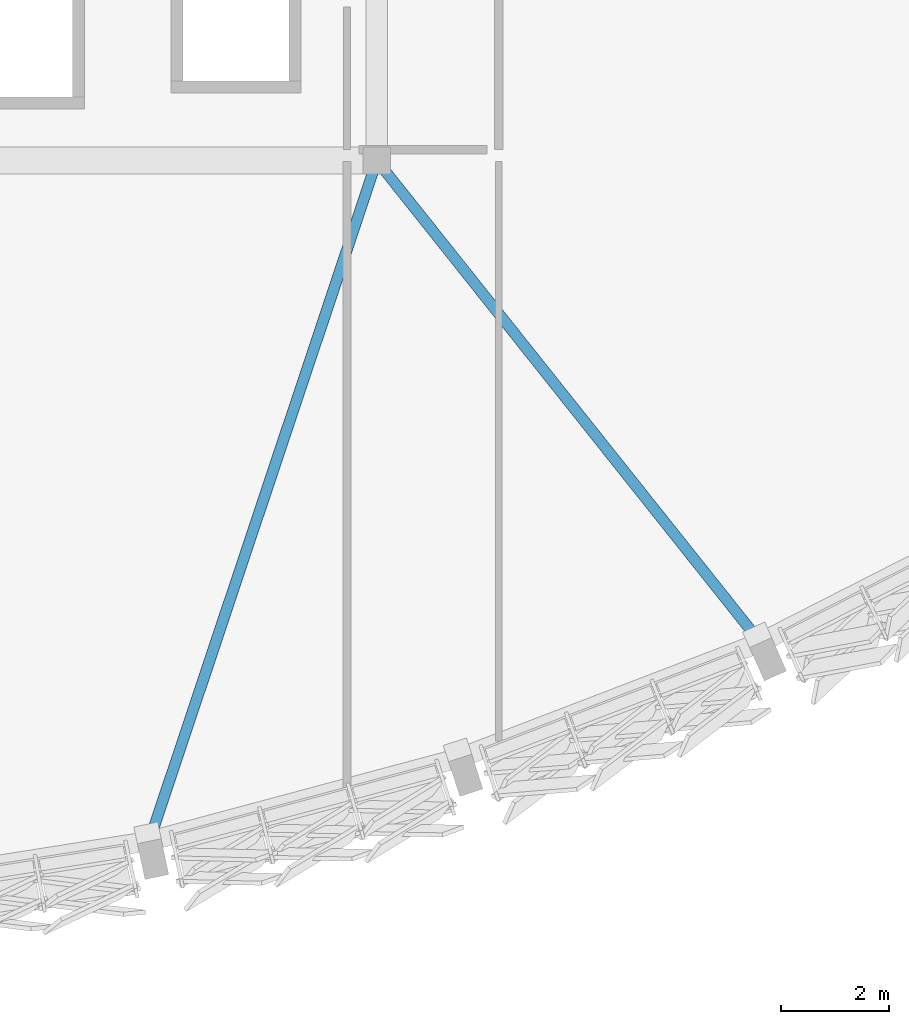
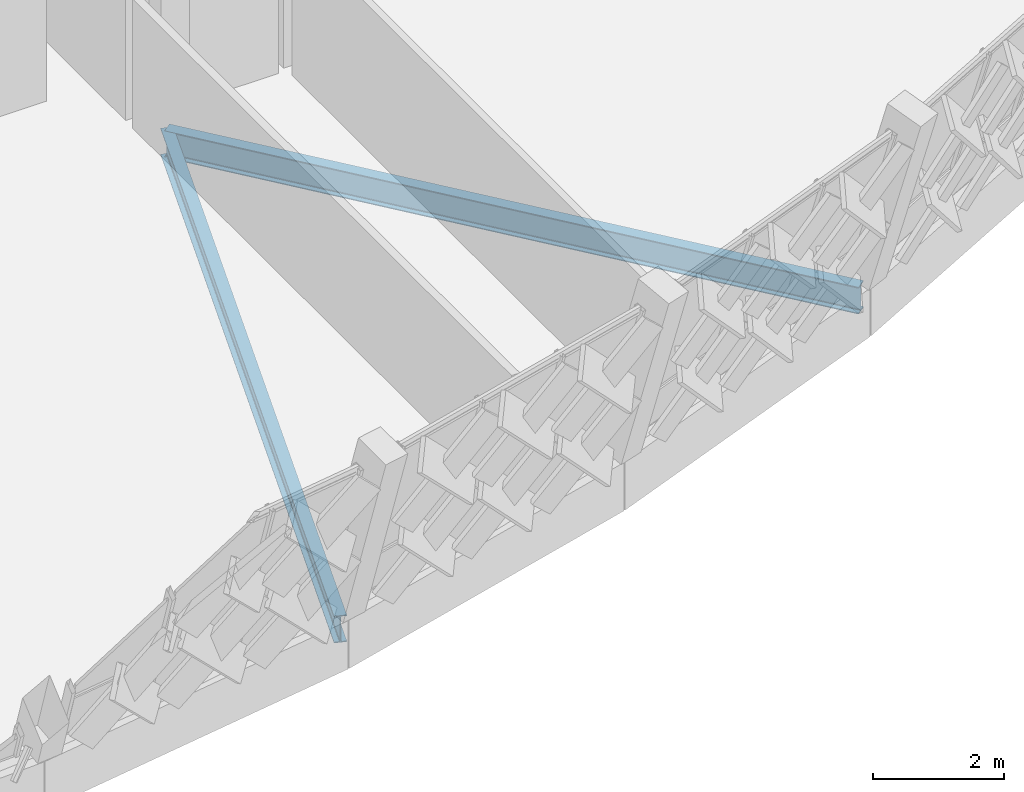
# One storey, part 6 of 24: 2 beams.
"""IFC4 building model written with IfcOpenShell, lengths in metres."""

from ifc_helpers import new_model, si_unit, direction, frame, origin, origin_2d, place, context, subcontext, project, spatial, i_section, extrude, material, material_profile, profile_set, type_object, element, save


model = new_model("IFC4")

# Units and contexts
model_context = context("Model", 3, precision=1e-05, world=origin(), true_north=direction((0.0, 1.0)))
body_context = subcontext(model_context, "Body", "Model", "MODEL_VIEW")
ifc_project = project(units=[si_unit("LENGTHUNIT", "METRE"), si_unit("AREAUNIT", "SQUARE_METRE"), si_unit("VOLUMEUNIT", "CUBIC_METRE"), si_unit("PLANEANGLEUNIT", "RADIAN"), si_unit("MASSUNIT", "GRAM", prefix="KILO")], contexts=[model_context])

# Site, building, storey
site_placement = place(None, origin())
site = spatial("IfcSite", under=ifc_project, at=site_placement, CompositionType="ELEMENT")
building_placement = place(site_placement, origin())
building = spatial("IfcBuilding", under=site, at=building_placement, Name="Chiffa Square Polytechnic", CompositionType="ELEMENT")
storey_placement = place(building_placement, frame((0.0, 0.0, 26.39990234375)))
storey = spatial("IfcBuildingStorey", under=building, at=storey_placement, Name="L06", CompositionType="ELEMENT", Elevation=26.39990234375)

# Beams
ifc_material = material(Name="Steel S355", Category="steel")
ifc_material_profile = material_profile(ifc_material, i_section(OverallWidth=0.199951171875, OverallDepth=0.5, WebThickness=0.01025390625, FlangeThickness=0.01611328125, FilletRadius=0.02099609375, at=origin_2d()), Name="IPE 500")
ifc_profile_set = profile_set([ifc_material_profile], Name="Steel S355")
beam_type = type_object("IfcBeamType", Name="BM-STL-IPE500", PredefinedType="BEAM", material=ifc_profile_set)
beam_1_placement = place(storey_placement, frame((135.0, 1.8359375, -0.469970703125), z_axis=(0.317040385017, 0.948412038235, 0.0), x_axis=(-0.948412038235, 0.317040385017, 0.0)))
element("IfcBeam", 1, at=beam_1_placement, inside=storey, type_object=beam_type, Name="Prow radial tie girder BM-V1-RAD-L06-05", PredefinedType="BEAM", context=body_context, shape_type="SweptSolid", body=[
    extrude(i_section(OverallWidth=0.199951171875, OverallDepth=0.5, WebThickness=0.01025390625, FlangeThickness=0.01611328125, FilletRadius=0.02099609375, at=origin_2d()), origin(), (0.0, 0.0, 1.0), 13.247314453125),
])
beam_2_placement = place(storey_placement, frame((146.283935546875, 5.5029296875, -0.469970703125), z_axis=(-0.622892235416, 0.782307652435, 0.0), x_axis=(-0.782307652435, -0.622892235416, 0.0)))
element("IfcBeam", 2, at=beam_2_placement, inside=storey, type_object=beam_type, Name="Prow radial tie girder BM-V1-RAD-L06-07", PredefinedType="BEAM", context=body_context, shape_type="SweptSolid", body=[
    extrude(i_section(OverallWidth=0.199951171875, OverallDepth=0.5, WebThickness=0.01025390625, FlangeThickness=0.01611328125, FilletRadius=0.02099609375, at=origin_2d()), origin(), (0.0, 0.0, 1.0), 11.372802734375),
])

save(model, "model.ifc")
